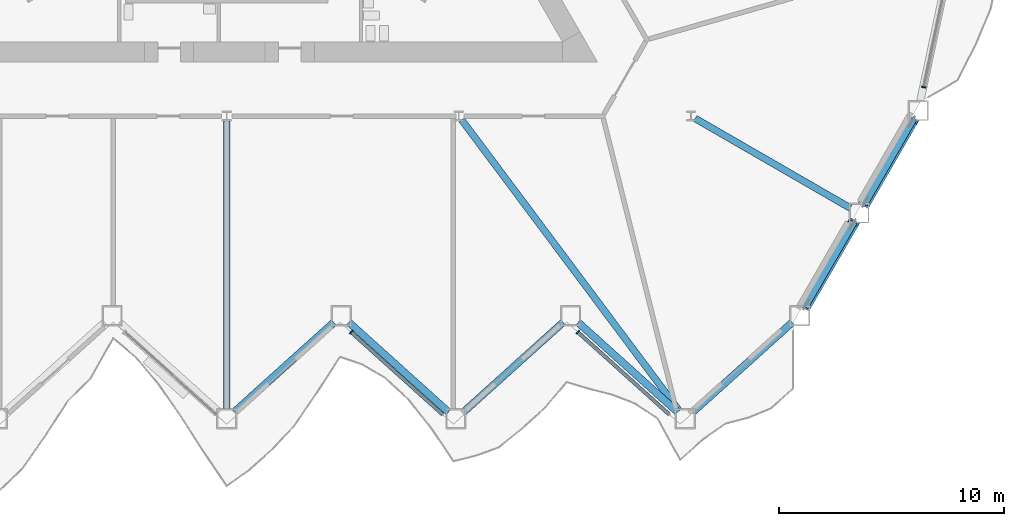
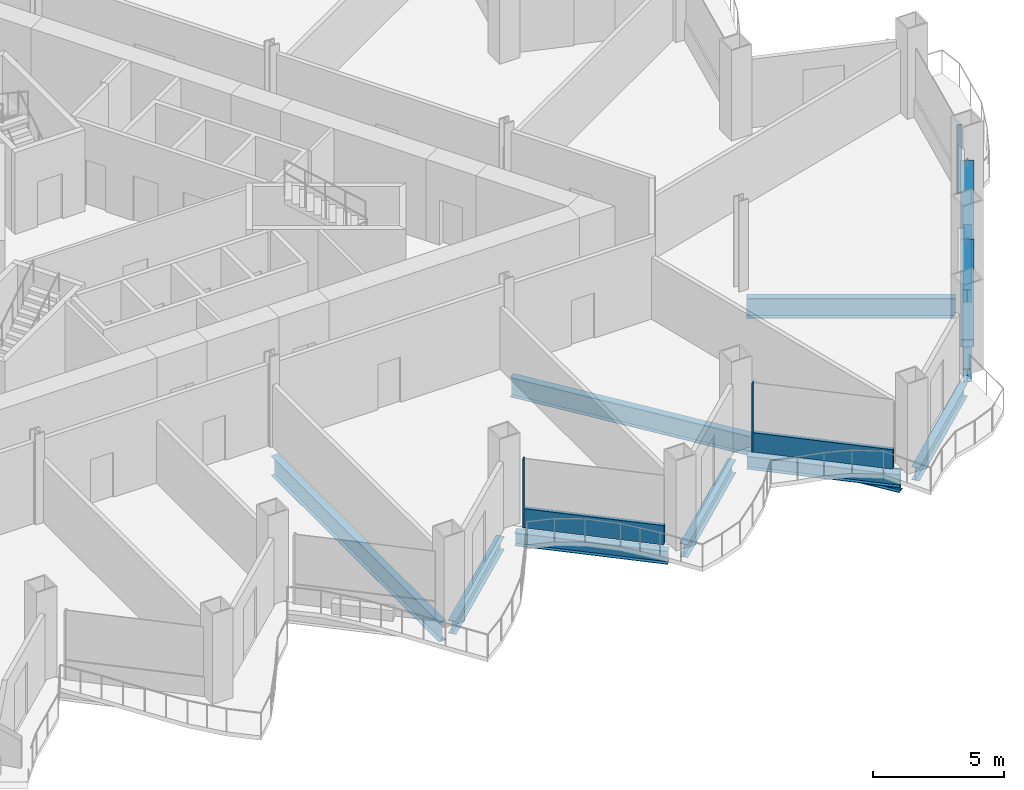
# One storey, part 5 of 21: 10 beams, 7 members, 3 elements without a shape of their own.
"""IFC4 building model written with IfcOpenShell, lengths in metres."""

from ifc_helpers import new_model, si_unit, direction, frame, origin, origin_2d, place, context, subcontext, project, spatial, rectangle, hollow_rectangle, i_section, extrude, material, layer, layer_set, material_profile, profile_set, type_object, element, aggregate, save


model = new_model("IFC4")

# Units and contexts
model_context = context("Model", 3, precision=1e-05, world=origin(), true_north=direction((0.0, 1.0)))
body_context = subcontext(model_context, "Body", "Model", "MODEL_VIEW")
ifc_project = project(units=[si_unit("LENGTHUNIT", "METRE"), si_unit("AREAUNIT", "SQUARE_METRE"), si_unit("VOLUMEUNIT", "CUBIC_METRE"), si_unit("PLANEANGLEUNIT", "RADIAN"), si_unit("MASSUNIT", "GRAM", prefix="KILO")], contexts=[model_context])

# Site, building, storey
site_placement = place(None, origin())
site = spatial("IfcSite", under=ifc_project, at=site_placement, CompositionType="ELEMENT")
building_placement = place(site_placement, origin())
building = spatial("IfcBuilding", under=site, at=building_placement, Name="Cormorant Prow Tower", CompositionType="ELEMENT")
storey_placement = place(building_placement, frame((0.0, 0.0, 133.199951171875)))
storey = spatial("IfcBuildingStorey", under=building, at=storey_placement, Name="L28", CompositionType="ELEMENT", Elevation=133.199951171875)

# Members
ifc_material_1 = material(Name="Structural steel ASTM A500 Gr C", Category="steel")
ifc_material_profile_1 = material_profile(ifc_material_1, hollow_rectangle(XDim=0.508056640625, YDim=0.508056640625, WallThickness=0.014892578125, at=origin_2d()), Name="HSS20x20x5/8")
ifc_profile_set_1 = profile_set([ifc_material_profile_1], Name="Structural steel ASTM A500 Gr C")
member_type_1 = type_object("IfcMemberType", Name="Chamfer brace HSS20x20x5/8", PredefinedType="BRACE", material=ifc_profile_set_1)
for number, where, z_axis, x_axis, name in (
    (1, (25.733642578125, -20.402099609375, 0.776611328125), (0.467784671838, 0.810243526908, 0.35310469821), (-0.866029868417, 0.499992266949, 0.0), "Chamfer brace BR1 at ESE00 L28"),
    (2, (28.368408203125, -15.83837890625, 0.776611328125), (0.467784671838, 0.810243526908, 0.35310469821), (-0.866029868417, 0.499992266949, 0.0), "Chamfer brace BR1 at ESE01 L28"),
):
    element("IfcMember", number, at=place(storey_placement, frame(where, z_axis=z_axis, x_axis=x_axis)), inside=storey, type_object=member_type_1, Name=name, PredefinedType="BRACE", context=body_context, shape_type="SweptSolid", body=[
        extrude(hollow_rectangle(XDim=0.508056640625, YDim=0.508056640625, WallThickness=0.014892578125, at=origin_2d()), origin(), (0.0, 0.0, 1.0), 4.632568359375),
    ])

# Curtain wall, member
ifc_material_2 = material(Name="Aluminium 6063-T6", Category="aluminium")
ifc_layer = layer(ifc_material_2, 0.199951171875)
ifc_layer_set = layer_set([ifc_layer], Name="Aluminium 6063-T6")
curtain_wall_type = type_object("IfcCurtainWallType", Name="Office unitised curtain wall 200", PredefinedType="NOTDEFINED", material=ifc_layer_set)
curtain_wall_1_placement = place(storey_placement, origin())
curtain_wall_1 = element("IfcCurtainWall", 3, at=curtain_wall_1_placement, inside=storey, type_object=curtain_wall_type, Name="Office curtain wall S06", PredefinedType="NOTDEFINED")
ifc_material_3 = material(Name="Aluminium 6063-T6", Category="aluminium")
ifc_material_profile_2 = material_profile(ifc_material_3, rectangle(XDim=0.199951171875, YDim=0.06005859375, at=origin_2d()), Name="Office mullion 60x200")
ifc_profile_set_2 = profile_set([ifc_material_profile_2], Name="Aluminium 6063-T6")
member_type_2 = type_object("IfcMemberType", Name="Office mullion 60x200", PredefinedType="MULLION", material=ifc_profile_set_2)
member_1_placement = place(storey_placement, frame((5.538330078125, -21.54150390625, 0.0), z_axis=(0.0, 0.0, 1.0), x_axis=(0.669130626463, 0.743144807376, 0.0)))
member_1 = element("IfcMember", 4, at=member_1_placement, type_object=member_type_2, Name="Office mullion S06", PredefinedType="MULLION", context=body_context, shape_type="SweptSolid", body=[
    extrude(rectangle(XDim=0.199951171875, YDim=0.06005859375, at=origin_2d()), origin(), (0.0, 0.0, 1.0), 3.18896484375),
])

curtain_wall_2_placement = place(storey_placement, origin())
curtain_wall_2 = element("IfcCurtainWall", 5, at=curtain_wall_2_placement, inside=storey, type_object=curtain_wall_type, Name="Office curtain wall S08", PredefinedType="NOTDEFINED")
member_2_placement = place(storey_placement, frame((15.625, -21.54150390625, 0.0), z_axis=(0.0, 0.0, 1.0), x_axis=(0.669130626463, 0.743144807376, 0.0)))
member_2 = element("IfcMember", 6, at=member_2_placement, type_object=member_type_2, Name="Office mullion S08", PredefinedType="MULLION", context=body_context, shape_type="SweptSolid", body=[
    extrude(rectangle(XDim=0.199951171875, YDim=0.06005859375, at=origin_2d()), origin(), (0.0, 0.0, 1.0), 3.18896484375),
])

curtain_wall_3_placement = place(storey_placement, origin())
curtain_wall_3 = element("IfcCurtainWall", 7, at=curtain_wall_3_placement, inside=storey, type_object=curtain_wall_type, Name="Office curtain wall ENE00", PredefinedType="NOTDEFINED")
member_3_placement = place(storey_placement, frame((31.0166015625, -10.63916015625, 0.0), z_axis=(0.0, 0.0, 1.0), x_axis=(-0.978147605839, 0.207911666798, 0.0)))
member_3 = element("IfcMember", 8, at=member_3_placement, type_object=member_type_2, Name="Office mullion ENE00", PredefinedType="MULLION", context=body_context, shape_type="SweptSolid", body=[
    extrude(rectangle(XDim=0.199951171875, YDim=0.06005859375, at=origin_2d()), origin(), (0.0, 0.0, 1.0), 3.18896484375),
])
aggregate(curtain_wall_3, [member_3])

# Member
ifc_material_4 = material(Name="Terracotta", Category="masonry")
ifc_material_profile_3 = material_profile(ifc_material_4, rectangle(XDim=0.159912109375, YDim=0.89990234375, at=origin_2d()), Name="Office terracotta spandrel rail 160x900")
ifc_profile_set_3 = profile_set([ifc_material_profile_3], Name="Terracotta")
member_type_3 = type_object("IfcMemberType", Name="Office terracotta spandrel rail 160x900", PredefinedType="USERDEFINED", material=ifc_profile_set_3)
member_4_placement = place(storey_placement, frame((5.560546875, -21.561767578125, 0.449951171875), z_axis=(0.743173953353, -0.66909825516, 0.0), x_axis=(0.66909825516, 0.743173953353, 0.0)))
member_4 = element("IfcMember", 9, at=member_4_placement, type_object=member_type_3, Name="Office spandrel rail S06", ObjectType="TRANSOM", PredefinedType="USERDEFINED", context=body_context, shape_type="SweptSolid", body=[
    extrude(rectangle(XDim=0.159912109375, YDim=0.89990234375, at=origin_2d()), origin(), (0.0, 0.0, 1.0), 5.45458984375),
])

aggregate(curtain_wall_1, [member_1, member_4])

member_5_placement = place(storey_placement, frame((15.6474609375, -21.561767578125, 0.449951171875), z_axis=(0.743153914206, -0.669120512165, 0.0), x_axis=(0.669120512165, 0.743153914206, 0.0)))
member_5 = element("IfcMember", 10, at=member_5_placement, type_object=member_type_3, Name="Office spandrel rail S08", ObjectType="TRANSOM", PredefinedType="USERDEFINED", context=body_context, shape_type="SweptSolid", body=[
    extrude(rectangle(XDim=0.159912109375, YDim=0.89990234375, at=origin_2d()), origin(), (0.0, 0.0, 1.0), 5.454345703125),
])

aggregate(curtain_wall_2, [member_2, member_5])

# Beams
ifc_material_5 = material(Name="Structural steel ASTM A992 Gr 50", Category="steel")
ifc_material_profile_4 = material_profile(ifc_material_5, i_section(OverallWidth=0.3046875, OverallDepth=0.914794921875, WebThickness=0.0166015625, FlangeThickness=0.02587890625, at=origin_2d()), Name="W36x160")
ifc_profile_set_4 = profile_set([ifc_material_profile_4], Name="Structural steel ASTM A992 Gr 50")
beam_type_1 = type_object("IfcBeamType", Name="Radial floor beam W36x160", PredefinedType="BEAM", material=ifc_profile_set_4)
beam_1_placement = place(storey_placement, frame((0.0, -12.143798828125, -0.857421875), z_axis=(0.0, -1.0, 0.0), x_axis=(1.0, 0.0, 0.0)))
element("IfcBeam", 11, at=beam_1_placement, inside=storey, type_object=beam_type_1, Name="Radial floor beam FB1 7 L28", PredefinedType="BEAM", context=body_context, shape_type="SweptSolid", body=[
    extrude(i_section(OverallWidth=0.3046875, OverallDepth=0.914794921875, WebThickness=0.0166015625, FlangeThickness=0.02587890625, at=origin_2d()), origin(), (0.0, 0.0, 1.0), 12.805419921875),
])
beam_2_placement = place(storey_placement, frame((10.458740234375, -12.100341796875, -0.857421875), z_axis=(0.598722444929, -0.800956574315, 0.0), x_axis=(0.800956574315, 0.598722444929, 0.0)))
element("IfcBeam", 12, at=beam_2_placement, inside=storey, type_object=beam_type_1, Name="Radial floor beam FB1 8 L28", PredefinedType="BEAM", context=body_context, shape_type="SweptSolid", body=[
    extrude(i_section(OverallWidth=0.3046875, OverallDepth=0.914794921875, WebThickness=0.0166015625, FlangeThickness=0.02587890625, at=origin_2d()), origin(), (0.0, 0.0, 1.0), 16.15380859375),
])
beam_3_placement = place(storey_placement, frame((20.84521484375, -12.034912109375, -0.857421875), z_axis=(0.866018715534, -0.50001158421, 0.0), x_axis=(0.50001158421, 0.866018715534, 0.0)))
element("IfcBeam", 13, at=beam_3_placement, inside=storey, type_object=beam_type_1, Name="Radial floor beam FB1 9 L28", PredefinedType="BEAM", context=body_context, shape_type="SweptSolid", body=[
    extrude(i_section(OverallWidth=0.3046875, OverallDepth=0.914794921875, WebThickness=0.0166015625, FlangeThickness=0.02587890625, at=origin_2d()), origin(), (0.0, 0.0, 1.0), 7.967041015625),
])
ifc_material_6 = material(Name="Structural steel ASTM A992 Gr 50", Category="steel")
ifc_material_profile_5 = material_profile(ifc_material_6, i_section(OverallWidth=0.32373046875, OverallDepth=0.611083984375, WebThickness=0.0126953125, FlangeThickness=0.01904296875, at=origin_2d()), Name="W24x104")
ifc_profile_set_5 = profile_set([ifc_material_profile_5], Name="Structural steel ASTM A992 Gr 50")
beam_type_2 = type_object("IfcBeamType", Name="Spandrel beam W24x104", PredefinedType="SPANDREL", material=ifc_profile_set_5)
for number, where, z_axis, x_axis, name in (
    (14, (0.33447265625, -25.09814453125, -0.70556640625), (0.743131253571, 0.66914567918, 0.0), (-0.66914567918, 0.743131253571, 0.0), "Spandrel beam SB1 S05-S06 L28"),
    (15, (5.434326171875, -21.108154296875, -0.70556640625), (0.743131253571, -0.66914567918, 0.0), (0.66914567918, 0.743131253571, 0.0), "Spandrel beam SB1 S06-S07 L28"),
    (16, (10.5341796875, -25.09814453125, -0.70556640625), (0.743131253571, 0.66914567918, 0.0), (-0.66914567918, 0.743131253571, 0.0), "Spandrel beam SB1 S07-S08 L28"),
    (17, (15.63427734375, -21.108154296875, -0.70556640625), (0.743131253571, -0.66914567918, 0.0), (0.66914567918, 0.743131253571, 0.0), "Spandrel beam SB1 S08-S09 L28"),
    (18, (20.734130859375, -25.09814453125, -0.70556640625), (0.743131253571, 0.66914567918, 0.0), (-0.66914567918, 0.743131253571, 0.0), "Spandrel beam SB1 S09-ESE00 L28"),
):
    element("IfcBeam", number, at=place(storey_placement, frame(where, z_axis=z_axis, x_axis=x_axis)), inside=storey, type_object=beam_type_2, Name=name, PredefinedType="SPANDREL", context=body_context, shape_type="SweptSolid", body=[
        extrude(i_section(OverallWidth=0.32373046875, OverallDepth=0.611083984375, WebThickness=0.0126953125, FlangeThickness=0.01904296875, at=origin_2d()), origin(), (0.0, 0.0, 1.0), 5.962890625),
    ])
for number, where, z_axis, x_axis, name in (
    (19, (25.724609375, -20.41748046875, -0.70556640625), (0.500002967982, 0.866023690213, 0.0), (-0.866023690213, 0.500002967982, 0.0), "Spandrel beam SB1 ESE00-ESE01 L28"),
    (20, (28.359619140625, -15.853759765625, -0.70556640625), (0.500002967982, 0.866023690213, 0.0), (-0.866023690213, 0.500002967982, 0.0), "Spandrel beam SB1 ESE01-ENE00 L28"),
):
    element("IfcBeam", number, at=place(storey_placement, frame(where, z_axis=z_axis, x_axis=x_axis)), inside=storey, type_object=beam_type_2, Name=name, PredefinedType="SPANDREL", context=body_context, shape_type="SweptSolid", body=[
        extrude(i_section(OverallWidth=0.32373046875, OverallDepth=0.611083984375, WebThickness=0.0126953125, FlangeThickness=0.01904296875, at=origin_2d()), origin(), (0.0, 0.0, 1.0), 4.36962890625),
    ])

save(model, "model.ifc")
